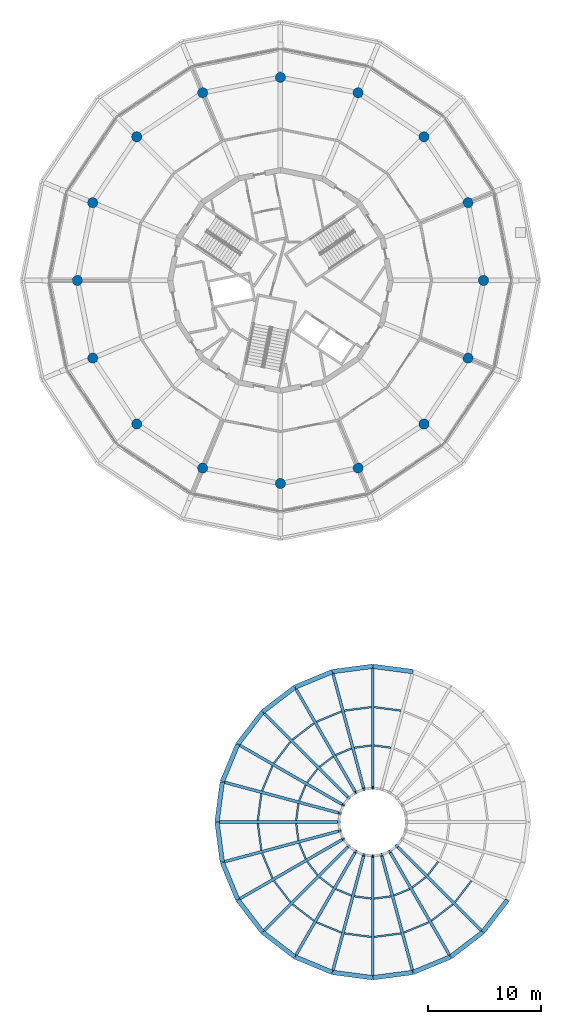
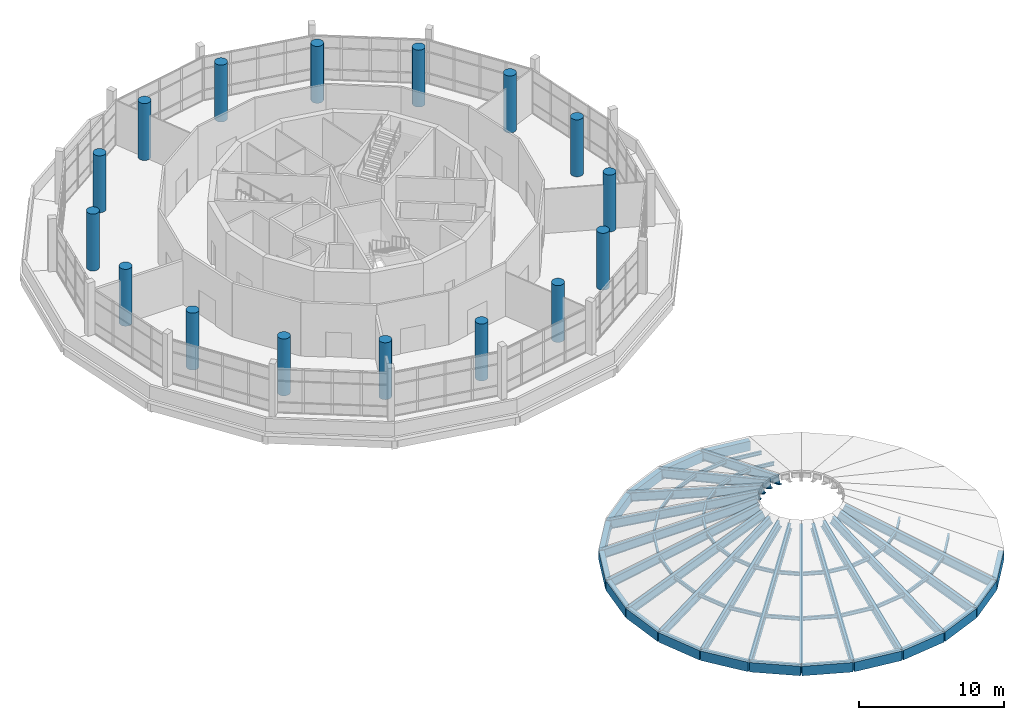
# One storey, part 1 of 21: 67 beams, 16 columns.
"""IFC4 building model written with IfcOpenShell, lengths in metres."""

import ifcopenshell
import ifcopenshell.guid

model = None  # the IFC model being written
_history = None  # IfcOwnerHistory: only IFC2X3 demands one
_inside = {}  # id of a spatial element -> (the spatial element, [elements in it])
_under = {}  # id of a project, library or spatial element -> (it, [spatial elements below it])
_declared = {}  # id of a project -> (the project, [libraries it declares])
_typed = {}  # id of a type object -> (the type object, [elements of that type])
_made_of = {}  # id of a material, layer set ... -> (it, [elements and type objects made of it])


def new_model(schema):
    """Start an empty IFC model of exactly this schema.

    Asked for "IFC4X3", IfcOpenShell would pick the latest addendum, in which some entities
    have other attributes; the version numbers below select the first issue.
    IFC2X3 requires an IfcOwnerHistory on every rooted entity: one is made here for all.
    """
    global model, _history
    if schema == "IFC4X3":
        model = ifcopenshell.file(schema_version=(4, 3, 0, 0))
    else:
        model = ifcopenshell.file(schema=schema)
    _inside.clear()
    _under.clear()
    _declared.clear()
    _typed.clear()
    _made_of.clear()
    _history = None
    if model.schema == "IFC2X3":
        org = make("IfcOrganization", Name="unknown")
        user = make(
            "IfcPersonAndOrganization",
            ThePerson=make("IfcPerson", FamilyName="unknown"),
            TheOrganization=org,
        )
        app = make(
            "IfcApplication",
            ApplicationDeveloper=org,
            Version="unknown",
            ApplicationFullName="unknown",
            ApplicationIdentifier="unknown",
        )
        _history = make(
            "IfcOwnerHistory",
            OwningUser=user,
            OwningApplication=app,
            ChangeAction="ADDED",
            CreationDate=0,
        )
    return model


def make(cls, **values):
    """One entity of the class cls with the attributes given. An attribute that is None is left unset."""
    return model.create_entity(
        cls, **{name: value for name, value in values.items() if value is not None}
    )


def rooted(cls, **values):
    """An entity with a GlobalId (a new one), such as an element, a storey or a relation."""
    return make(cls, GlobalId=ifcopenshell.guid.new(), OwnerHistory=_history, **values)


def si_unit(unit_type, name, prefix=None):
    """IfcSIUnit, for example si_unit("LENGTHUNIT", "METRE", prefix="MILLI")."""
    return make("IfcSIUnit", UnitType=unit_type, Prefix=prefix, Name=name)


def assignment(units):
    """IfcUnitAssignment: the units of a project."""
    return None if units is None else make("IfcUnitAssignment", Units=units)


def point(xyz):
    """IfcCartesianPoint."""
    return None if xyz is None else make("IfcCartesianPoint", Coordinates=xyz)


def direction(xyz):
    """IfcDirection."""
    return None if xyz is None else make("IfcDirection", DirectionRatios=xyz)


def frame(location, z_axis=None, x_axis=None):
    """IfcAxis2Placement3D, a coordinate frame: its origin and axes. An axis left out is left unset."""
    return make(
        "IfcAxis2Placement3D",
        Location=point(location),
        Axis=direction(z_axis),
        RefDirection=direction(x_axis),
    )


def frame_2d(location, x_axis=None):
    """IfcAxis2Placement2D, a coordinate frame in the plane: its origin and x axis."""
    return make(
        "IfcAxis2Placement2D", Location=point(location), RefDirection=direction(x_axis)
    )


def origin():
    """The frame at (0, 0, 0) with its axes left unset."""
    return frame((0.0, 0.0, 0.0))


def origin_2d():
    """The frame at (0, 0) in the plane with its x axis left unset."""
    return frame_2d((0.0, 0.0))


def place(relative_to, where):
    """IfcLocalPlacement: puts the frame where relative to a parent placement (None: the world)."""
    return make(
        "IfcLocalPlacement", PlacementRelTo=relative_to, RelativePlacement=where
    )


def context(
    kind, dimensions, precision=None, world=None, true_north=None, identifier=None
):
    """IfcGeometricRepresentationContext, for example the 3D "Model" context."""
    return make(
        "IfcGeometricRepresentationContext",
        ContextIdentifier=identifier,
        ContextType=kind,
        CoordinateSpaceDimension=dimensions,
        Precision=precision,
        WorldCoordinateSystem=world,
        TrueNorth=true_north,
    )


def subcontext(parent, identifier, kind, view, scale=None):
    """IfcGeometricRepresentationSubContext, for example "Body" below "Model"."""
    return make(
        "IfcGeometricRepresentationSubContext",
        ContextIdentifier=identifier,
        ContextType=kind,
        ParentContext=parent,
        TargetScale=scale,
        TargetView=view,
    )


def project(units=None, contexts=None):
    """IfcProject with its units and contexts."""
    return rooted(
        "IfcProject",
        Name="project",
        RepresentationContexts=contexts,
        UnitsInContext=assignment(units),
    )


def spatial(cls, under=None, at=None, **own):
    """A site, building, storey or space (cls), placed at a placement, below another one or the project."""
    s = rooted(cls, ObjectPlacement=at, **own)
    if under is not None:
        _under.setdefault(under.id(), (under, []))[1].append(s)
    return s


def profile(cls, at=None, kind="AREA", **sizes):
    """A parametric profile (cls). Its sizes go by their IFC names, for example OverallWidth=200.0."""
    return make(cls, ProfileType=kind, Position=at, **sizes)


def rectangle(**sizes):
    """IfcRectangleProfileDef."""
    return profile("IfcRectangleProfileDef", **sizes)


def circle(**sizes):
    """IfcCircleProfileDef."""
    return profile("IfcCircleProfileDef", **sizes)


def i_section(**sizes):
    """IfcIShapeProfileDef."""
    return profile("IfcIShapeProfileDef", **sizes)


def extrude(swept, where, along, depth):
    """IfcExtrudedAreaSolid: the profile swept, set in the frame where, extruded along a direction by depth."""
    return make(
        "IfcExtrudedAreaSolid",
        SweptArea=swept,
        Position=where,
        ExtrudedDirection=direction(along),
        Depth=depth,
    )


def shape(context_of_items, identifier, shape_type, items):
    """IfcShapeRepresentation: the items that make up one representation, for example the "Body"."""
    return make(
        "IfcShapeRepresentation",
        ContextOfItems=context_of_items,
        RepresentationIdentifier=identifier,
        RepresentationType=shape_type,
        Items=items,
    )


def material(Name=None, Category=None):
    """IfcMaterial."""
    return make("IfcMaterial", Name=Name, Category=Category)


def material_profile(
    of_material, cross_section, Name=None, Category=None, Priority=None
):
    """IfcMaterialProfile: a cross section and its material."""
    return make(
        "IfcMaterialProfile",
        Name=Name,
        Material=of_material,
        Profile=cross_section,
        Priority=Priority,
        Category=Category,
    )


def profile_set(profiles, Name=None, composite=None):
    """IfcMaterialProfileSet."""
    return make(
        "IfcMaterialProfileSet",
        Name=Name,
        MaterialProfiles=profiles,
        CompositeProfile=composite,
    )


def made_of(thing, what):
    """Note that an element or type object is made of a material, layer set ...; save() writes the relation."""
    if what is not None:
        _made_of.setdefault(what.id(), (what, []))[1].append(thing)
    return thing


def type_object(cls, material=None, **own):
    """A type object (cls), such as IfcWallType, which elements share."""
    return made_of(rooted(cls, **own), material)


def element(
    cls,
    number,
    at=None,
    inside=None,
    cuts=None,
    type_object=None,
    material=None,
    context=None,
    identifier="Body",
    shape_type=None,
    held_by="IfcProductDefinitionShape",
    body=None,
    shapes=None,
    **own,
):
    """One element of the class cls, such as IfcWall. Its Tag is "e" and its number.

    at: its placement. inside: the storey or other place that contains it. cuts: it is an
    opening in that element (IfcRelVoidsElement). A single representation is given by context,
    identifier, shape_type and body (its items); several are given by shapes. held_by: the class
    of the entity that holds the representations. save() writes the other relations.
    """
    e = rooted(cls, Tag="e%d" % number, ObjectPlacement=at, **own)
    if body is not None:
        shapes = [shape(context, identifier, shape_type, body)]
    if shapes is not None:
        e.Representation = make(held_by, Representations=shapes)
    if inside is not None:
        _inside.setdefault(inside.id(), (inside, []))[1].append(e)
    if cuts is not None:
        rooted(
            "IfcRelVoidsElement", RelatingBuildingElement=cuts, RelatedOpeningElement=e
        )
    if type_object is not None:
        _typed.setdefault(type_object.id(), (type_object, []))[1].append(e)
    return made_of(e, material)


def aggregate(whole, parts):
    """IfcRelAggregates: a whole, such as a stair, and the parts it consists of."""
    return rooted("IfcRelAggregates", RelatingObject=whole, RelatedObjects=parts)


def save(model, path):
    """Write the relations noted so far, then the file.

    IfcRelAggregates (storeys below a building ...), IfcRelContainedInSpatialStructure (elements
    in a storey), IfcRelDefinesByType, IfcRelAssociatesMaterial and IfcRelDeclares: one each for
    every whole, place, type object, material and project.
    """
    for whole, parts in _under.values():
        aggregate(whole, parts)
    for where, things in _inside.values():
        rooted(
            "IfcRelContainedInSpatialStructure",
            RelatedElements=things,
            RelatingStructure=where,
        )
    for kind, things in _typed.values():
        rooted("IfcRelDefinesByType", RelatedObjects=things, RelatingType=kind)
    for what, things in _made_of.values():
        rooted("IfcRelAssociatesMaterial", RelatedObjects=things, RelatingMaterial=what)
    for by, libraries in _declared.values():
        rooted("IfcRelDeclares", RelatingContext=by, RelatedDefinitions=libraries)
    model.write(path)


model = new_model("IFC4")

# Units and contexts
model_context = context("Model", 3, precision=1e-05, world=origin(), true_north=direction((0.0, 1.0)))
body_context = subcontext(model_context, "Body", "Model", "MODEL_VIEW")
ifc_project = project(units=[si_unit("LENGTHUNIT", "METRE"), si_unit("AREAUNIT", "SQUARE_METRE"), si_unit("VOLUMEUNIT", "CUBIC_METRE"), si_unit("PLANEANGLEUNIT", "RADIAN"), si_unit("MASSUNIT", "GRAM", prefix="KILO")], contexts=[model_context])

# Site, building, storey
site_placement = place(None, origin())
site = spatial("IfcSite", under=ifc_project, at=site_placement, CompositionType="ELEMENT")
building_placement = place(site_placement, origin())
building = spatial("IfcBuilding", under=site, at=building_placement, Name="Ceibo Conservatory and Research Tower", CompositionType="ELEMENT")
storey_placement = place(building_placement, frame((0.0, 0.0, 15.60009765625)))
storey = spatial("IfcBuildingStorey", under=building, at=storey_placement, Name="L03", CompositionType="ELEMENT", Elevation=15.60009765625)

# Columns
ifc_material_1 = material(Name="Concrete C35/45", Category="concrete")
ifc_material_profile_1 = material_profile(ifc_material_1, circle(Radius=0.449951171875, at=origin_2d()), Name="RC D900")
ifc_profile_set_1 = profile_set([ifc_material_profile_1], Name="Concrete C35/45")
column_type = type_object("IfcColumnType", Name="RC column D900 C35", PredefinedType="COLUMN", material=ifc_profile_set_1)
for number, where, z_axis, x_axis, name in (
    (1, (66.0, 120.0, 0.0), (0.0, 0.0, 1.0), (1.0, 0.0, 0.0), "Column R1 L03"),
    (2, (64.6298828125, 126.88818359375, 0.0), (0.0, 0.0, 1.0), (1.0, 0.0, 0.0), "Column R2 L03"),
    (3, (60.72802734375, 132.72802734375, 0.0), (0.0, 0.0, 1.0), (1.0, 0.0, 0.0), "Column R3 L03"),
    (4, (54.88818359375, 136.6298828125, 0.0), (0.0, 0.0, 1.0), (1.0, 0.0, 0.0), "Column R4 L03"),
    (5, (48.0, 138.0, 0.0), (0.0, 0.0, 1.0), (1.0, 0.0, 0.0), "Column R5 L03"),
    (6, (41.11181640625, 136.6298828125, 0.0), (0.0, 0.0, 1.0), (1.0, 0.0, 0.0), "Column R6 L03"),
    (7, (35.27197265625, 132.72802734375, 0.0), (0.0, 0.0, 1.0), (1.0, 0.0, 0.0), "Column R7 L03"),
    (8, (31.3701171875, 126.88818359375, 0.0), (0.0, 0.0, 1.0), (1.0, 0.0, 0.0), "Column R8 L03"),
    (9, (30.0, 120.0, 0.0), (0.0, 0.0, 1.0), (1.0, 0.0, 0.0), "Column R9 L03"),
    (10, (31.3701171875, 113.11181640625, 0.0), (0.0, 0.0, 1.0), (1.0, 0.0, 0.0), "Column R10 L03"),
    (11, (35.27197265625, 107.27197265625, 0.0), (0.0, 0.0, 1.0), (1.0, 0.0, 0.0), "Column R11 L03"),
    (12, (41.11181640625, 103.3701171875, 0.0), (0.0, 0.0, 1.0), (1.0, 0.0, 0.0), "Column R12 L03"),
    (13, (48.0, 102.0, 0.0), (0.0, 0.0, 1.0), (1.0, 0.0, 0.0), "Column R13 L03"),
    (14, (54.88818359375, 103.3701171875, 0.0), (0.0, 0.0, 1.0), (1.0, 0.0, 0.0), "Column R14 L03"),
    (15, (60.72802734375, 107.27197265625, 0.0), (0.0, 0.0, 1.0), (1.0, 0.0, 0.0), "Column R15 L03"),
    (16, (64.6298828125, 113.11181640625, 0.0), (0.0, 0.0, 1.0), (1.0, 0.0, 0.0), "Column R16 L03"),
):
    element("IfcColumn", number, at=place(storey_placement, frame(where, z_axis=z_axis, x_axis=x_axis)), inside=storey, type_object=column_type, Name=name, PredefinedType="COLUMN", context=body_context, shape_type="SweptSolid", body=[
        extrude(circle(Radius=0.449951171875, at=origin_2d()), origin(), (0.0, 0.0, 1.0), 4.7998046875),
    ])

# Beams
ifc_material_profile_2 = material_profile(ifc_material_1, rectangle(XDim=0.39990234375, YDim=0.800048828125, at=origin_2d()), Name="RC 400x800")
ifc_profile_set_2 = profile_set([ifc_material_profile_2], Name="Concrete C35/45")
beam_type_1 = type_object("IfcBeamType", Name="RC beam 400x800 C35", PredefinedType="BEAM", material=ifc_profile_set_2)
for number, where, z_axis, x_axis, name in (
    (17, (59.725341796875, 85.33154296875, 0.349853515625), (-0.99144164863, 0.130550593111, 0.0), (-0.130550593111, -0.99144164863, 0.0), "Auditorium ring beam 06"),
    (18, (56.154052734375, 85.794921875, 0.349853515625), (-0.99144164863, -0.130550593111, 0.0), (0.130550593111, -0.99144164863, 0.0), "Auditorium ring beam 07"),
):
    element("IfcBeam", number, at=place(storey_placement, frame(where, z_axis=z_axis, x_axis=x_axis)), inside=storey, type_object=beam_type_1, Name=name, PredefinedType="BEAM", context=body_context, shape_type="SweptSolid", body=[
        extrude(rectangle(XDim=0.39990234375, YDim=0.800048828125, at=origin_2d()), origin(), (0.0, 0.0, 1.0), 3.54931640625),
    ])
beam_1_placement = place(storey_placement, frame((52.58447265625, 85.318115234375, 0.349853515625), z_axis=(-0.923872639928, -0.382700072108, 0.0), x_axis=(0.382700072108, -0.923872639928, 0.0)))
element("IfcBeam", 19, at=beam_1_placement, inside=storey, type_object=beam_type_1, Name="Auditorium ring beam 08", PredefinedType="BEAM", context=body_context, shape_type="SweptSolid", body=[
    extrude(rectangle(XDim=0.39990234375, YDim=0.800048828125, at=origin_2d()), origin(), (0.0, 0.0, 1.0), 3.549560546875),
])
beam_2_placement = place(storey_placement, frame((49.260009765625, 83.93359375, 0.349853515625), z_axis=(-0.793364950044, -0.608746298586, 0.0), x_axis=(0.608746298586, -0.793364950044, 0.0)))
element("IfcBeam", 20, at=beam_2_placement, inside=storey, type_object=beam_type_1, Name="Auditorium ring beam 09", PredefinedType="BEAM", context=body_context, shape_type="SweptSolid", body=[
    extrude(rectangle(XDim=0.39990234375, YDim=0.800048828125, at=origin_2d()), origin(), (0.0, 0.0, 1.0), 3.54931640625),
])
beam_3_placement = place(storey_placement, frame((46.4072265625, 81.736083984375, 0.349853515625), z_axis=(-0.608756372486, -0.793357220272, 0.0), x_axis=(0.793357220272, -0.608756372486, 0.0)))
element("IfcBeam", 21, at=beam_3_placement, inside=storey, type_object=beam_type_1, Name="Auditorium ring beam 10", PredefinedType="BEAM", context=body_context, shape_type="SweptSolid", body=[
    extrude(rectangle(XDim=0.39990234375, YDim=0.800048828125, at=origin_2d()), origin(), (0.0, 0.0, 1.0), 3.549560546875),
])
for number, where, z_axis, x_axis, name in (
    (22, (44.220458984375, 78.874755859375, 0.349853515625), (-0.382724392317, -0.92386256528, 0.0), (0.92386256528, -0.382724392317, 0.0), "Auditorium ring beam 11"),
    (23, (42.8486328125, 75.545166015625, 0.349853515625), (-0.130550593111, -0.99144164863, 0.0), (0.99144164863, -0.130550593111, 0.0), "Auditorium ring beam 12"),
    (24, (42.38525390625, 71.973876953125, 0.349853515625), (0.130550593111, -0.99144164863, 0.0), (0.99144164863, 0.130550593111, 0.0), "Auditorium ring beam 13"),
    (25, (42.862060546875, 68.404296875, 0.349853515625), (0.382724392317, -0.92386256528, 0.0), (0.92386256528, 0.382724392317, 0.0), "Auditorium ring beam 14"),
):
    element("IfcBeam", number, at=place(storey_placement, frame(where, z_axis=z_axis, x_axis=x_axis)), inside=storey, type_object=beam_type_1, Name=name, PredefinedType="BEAM", context=body_context, shape_type="SweptSolid", body=[
        extrude(rectangle(XDim=0.39990234375, YDim=0.800048828125, at=origin_2d()), origin(), (0.0, 0.0, 1.0), 3.54931640625),
    ])
beam_4_placement = place(storey_placement, frame((44.246337890625, 65.080078125, 0.349853515625), z_axis=(0.608756372486, -0.793357220272, 0.0), x_axis=(0.793357220272, 0.608756372486, 0.0)))
element("IfcBeam", 26, at=beam_4_placement, inside=storey, type_object=beam_type_1, Name="Auditorium ring beam 15", PredefinedType="BEAM", context=body_context, shape_type="SweptSolid", body=[
    extrude(rectangle(XDim=0.39990234375, YDim=0.800048828125, at=origin_2d()), origin(), (0.0, 0.0, 1.0), 3.549560546875),
])
beam_5_placement = place(storey_placement, frame((46.444091796875, 62.22705078125, 0.349853515625), z_axis=(0.793364950044, -0.608746298586, 0.0), x_axis=(0.608746298586, 0.793364950044, 0.0)))
element("IfcBeam", 27, at=beam_5_placement, inside=storey, type_object=beam_type_1, Name="Auditorium ring beam 16", PredefinedType="BEAM", context=body_context, shape_type="SweptSolid", body=[
    extrude(rectangle(XDim=0.39990234375, YDim=0.800048828125, at=origin_2d()), origin(), (0.0, 0.0, 1.0), 3.54931640625),
])
beam_6_placement = place(storey_placement, frame((49.30517578125, 60.040283203125, 0.349853515625), z_axis=(0.923872639928, -0.382700072108, 0.0), x_axis=(0.382700072108, 0.923872639928, 0.0)))
element("IfcBeam", 28, at=beam_6_placement, inside=storey, type_object=beam_type_1, Name="Auditorium ring beam 17", PredefinedType="BEAM", context=body_context, shape_type="SweptSolid", body=[
    extrude(rectangle(XDim=0.39990234375, YDim=0.800048828125, at=origin_2d()), origin(), (0.0, 0.0, 1.0), 3.549560546875),
])
for number, where, z_axis, x_axis, name in (
    (29, (52.635009765625, 58.66845703125, 0.349853515625), (0.99144164863, -0.130550593111, 0.0), (0.130550593111, 0.99144164863, 0.0), "Auditorium ring beam 18"),
    (30, (56.206298828125, 58.205078125, 0.349853515625), (0.99144164863, 0.130550593111, 0.0), (-0.130550593111, 0.99144164863, 0.0), "Auditorium ring beam 19"),
):
    element("IfcBeam", number, at=place(storey_placement, frame(where, z_axis=z_axis, x_axis=x_axis)), inside=storey, type_object=beam_type_1, Name=name, PredefinedType="BEAM", context=body_context, shape_type="SweptSolid", body=[
        extrude(rectangle(XDim=0.39990234375, YDim=0.800048828125, at=origin_2d()), origin(), (0.0, 0.0, 1.0), 3.54931640625),
    ])
beam_7_placement = place(storey_placement, frame((59.775634765625, 58.681884765625, 0.349853515625), z_axis=(0.923872639928, 0.382700072108, 0.0), x_axis=(-0.382700072108, 0.923872639928, 0.0)))
element("IfcBeam", 31, at=beam_7_placement, inside=storey, type_object=beam_type_1, Name="Auditorium ring beam 20", PredefinedType="BEAM", context=body_context, shape_type="SweptSolid", body=[
    extrude(rectangle(XDim=0.39990234375, YDim=0.800048828125, at=origin_2d()), origin(), (0.0, 0.0, 1.0), 3.549560546875),
])
beam_8_placement = place(storey_placement, frame((63.10009765625, 60.06640625, 0.349853515625), z_axis=(0.793364950044, 0.608746298586, 0.0), x_axis=(-0.608746298586, 0.793364950044, 0.0)))
element("IfcBeam", 32, at=beam_8_placement, inside=storey, type_object=beam_type_1, Name="Auditorium ring beam 21", PredefinedType="BEAM", context=body_context, shape_type="SweptSolid", body=[
    extrude(rectangle(XDim=0.39990234375, YDim=0.800048828125, at=origin_2d()), origin(), (0.0, 0.0, 1.0), 3.54931640625),
])
beam_9_placement = place(storey_placement, frame((65.952880859375, 62.263916015625, 0.349853515625), z_axis=(0.608756372486, 0.793357220272, 0.0), x_axis=(-0.793357220272, 0.608756372486, 0.0)))
element("IfcBeam", 33, at=beam_9_placement, inside=storey, type_object=beam_type_1, Name="Auditorium ring beam 22", PredefinedType="BEAM", context=body_context, shape_type="SweptSolid", body=[
    extrude(rectangle(XDim=0.39990234375, YDim=0.800048828125, at=origin_2d()), origin(), (0.0, 0.0, 1.0), 3.549560546875),
])
ifc_material_2 = material(Name="Steel S355J2", Category="steel")
ifc_material_profile_3 = material_profile(ifc_material_2, i_section(OverallWidth=0.25, OverallDepth=0.699951171875, WebThickness=0.011962890625, FlangeThickness=0.02490234375, at=origin_2d()), Name="PG 700x250")
ifc_profile_set_3 = profile_set([ifc_material_profile_3], Name="Steel S355J2")
beam_type_2 = type_object("IfcBeamType", Name="roof girder PG 700x250", PredefinedType="BEAM", material=ifc_profile_set_3)
beam_10_placement = place(storey_placement, frame((56.18017578125, 85.616455078125, 0.5146484375), z_axis=(0.0, -0.925549329485, 0.378627044319), x_axis=(1.0, 0.0, 0.0)))
element("IfcBeam", 34, at=beam_10_placement, inside=storey, type_object=beam_type_2, Name="Auditorium roof girder 07", PredefinedType="BEAM", context=body_context, shape_type="SweptSolid", body=[
    extrude(i_section(OverallWidth=0.25, OverallDepth=0.699951171875, WebThickness=0.011962890625, FlangeThickness=0.02490234375, at=origin_2d()), origin(), (0.0, 0.0, 1.0), 11.470458984375),
])
beam_11_placement = place(storey_placement, frame((52.65576171875, 85.152587890625, 0.5146484375), z_axis=(0.239551624894, -0.89401390067, 0.378621399843), x_axis=(0.965925469153, 0.258820377948, 0.0)))
element("IfcBeam", 35, at=beam_11_placement, inside=storey, type_object=beam_type_2, Name="Auditorium roof girder 08", PredefinedType="BEAM", context=body_context, shape_type="SweptSolid", body=[
    extrude(i_section(OverallWidth=0.25, OverallDepth=0.699951171875, WebThickness=0.011962890625, FlangeThickness=0.02490234375, at=origin_2d()), origin(), (0.0, 0.0, 1.0), 11.470703125),
])
beam_12_placement = place(storey_placement, frame((49.371826171875, 83.792236328125, 0.5146484375), z_axis=(0.462783933169, -0.801544411499, 0.378625920395), x_axis=(0.866019765546, 0.500009765588, 0.0)))
element("IfcBeam", 36, at=beam_12_placement, inside=storey, type_object=beam_type_2, Name="Auditorium roof girder 09", PredefinedType="BEAM", context=body_context, shape_type="SweptSolid", body=[
    extrude(i_section(OverallWidth=0.25, OverallDepth=0.699951171875, WebThickness=0.011962890625, FlangeThickness=0.02490234375, at=origin_2d()), origin(), (0.0, 0.0, 1.0), 11.470458984375),
])
for number, where, z_axis, x_axis, name in (
    (37, (46.5517578125, 81.62841796875, 0.5146484375), (0.654463615711, -0.654463615711, 0.378622175026), (0.707106781187, 0.707106781187, 0.0), "Auditorium roof girder 10"),
    (38, (44.3876953125, 78.808349609375, 0.5146484375), (0.801552020997, -0.462776038039, 0.378619461007), (0.499999807909, 0.866025514688, 0.0), "Auditorium roof girder 11"),
):
    element("IfcBeam", number, at=place(storey_placement, frame(where, z_axis=z_axis, x_axis=x_axis)), inside=storey, type_object=beam_type_2, Name=name, PredefinedType="BEAM", context=body_context, shape_type="SweptSolid", body=[
        extrude(i_section(OverallWidth=0.25, OverallDepth=0.699951171875, WebThickness=0.011962890625, FlangeThickness=0.02490234375, at=origin_2d()), origin(), (0.0, 0.0, 1.0), 11.470703125),
    ])
beam_13_placement = place(storey_placement, frame((43.027587890625, 75.524169921875, 0.5146484375), z_axis=(0.894009628013, -0.239556183208, 0.37862860445), x_axis=(0.258826127107, 0.965923928644, 0.0)))
element("IfcBeam", 39, at=beam_13_placement, inside=storey, type_object=beam_type_2, Name="Auditorium roof girder 12", PredefinedType="BEAM", context=body_context, shape_type="SweptSolid", body=[
    extrude(i_section(OverallWidth=0.25, OverallDepth=0.699951171875, WebThickness=0.011962890625, FlangeThickness=0.02490234375, at=origin_2d()), origin(), (0.0, 0.0, 1.0), 11.470458984375),
])
beam_14_placement = place(storey_placement, frame((42.5634765625, 72.0, 0.5146484375), z_axis=(0.925552380684, 0.0, 0.378619585613), x_axis=(0.0, 1.0, 0.0)))
element("IfcBeam", 40, at=beam_14_placement, inside=storey, type_object=beam_type_2, Name="Auditorium roof girder 13", PredefinedType="BEAM", context=body_context, shape_type="SweptSolid", body=[
    extrude(i_section(OverallWidth=0.25, OverallDepth=0.699951171875, WebThickness=0.011962890625, FlangeThickness=0.02490234375, at=origin_2d()), origin(), (0.0, 0.0, 1.0), 11.470703125),
])
beam_15_placement = place(storey_placement, frame((43.027587890625, 68.475830078125, 0.5146484375), z_axis=(0.894009628013, 0.239556183208, 0.37862860445), x_axis=(-0.258826127107, 0.965923928644, 0.0)))
element("IfcBeam", 41, at=beam_15_placement, inside=storey, type_object=beam_type_2, Name="Auditorium roof girder 14", PredefinedType="BEAM", context=body_context, shape_type="SweptSolid", body=[
    extrude(i_section(OverallWidth=0.25, OverallDepth=0.699951171875, WebThickness=0.011962890625, FlangeThickness=0.02490234375, at=origin_2d()), origin(), (0.0, 0.0, 1.0), 11.470458984375),
])
for number, where, z_axis, x_axis, name in (
    (42, (44.3876953125, 65.191650390625, 0.5146484375), (0.801552020997, 0.462776038039, 0.378619461007), (-0.499999807909, 0.866025514688, 0.0), "Auditorium roof girder 15"),
    (43, (46.5517578125, 62.37158203125, 0.5146484375), (0.654463615711, 0.654463615711, 0.378622175026), (-0.707106781187, 0.707106781187, 0.0), "Auditorium roof girder 16"),
):
    element("IfcBeam", number, at=place(storey_placement, frame(where, z_axis=z_axis, x_axis=x_axis)), inside=storey, type_object=beam_type_2, Name=name, PredefinedType="BEAM", context=body_context, shape_type="SweptSolid", body=[
        extrude(i_section(OverallWidth=0.25, OverallDepth=0.699951171875, WebThickness=0.011962890625, FlangeThickness=0.02490234375, at=origin_2d()), origin(), (0.0, 0.0, 1.0), 11.470703125),
    ])
beam_16_placement = place(storey_placement, frame((49.371826171875, 60.207763671875, 0.5146484375), z_axis=(0.462783933169, 0.801544411499, 0.378625920395), x_axis=(-0.866019765546, 0.500009765588, 0.0)))
element("IfcBeam", 44, at=beam_16_placement, inside=storey, type_object=beam_type_2, Name="Auditorium roof girder 17", PredefinedType="BEAM", context=body_context, shape_type="SweptSolid", body=[
    extrude(i_section(OverallWidth=0.25, OverallDepth=0.699951171875, WebThickness=0.011962890625, FlangeThickness=0.02490234375, at=origin_2d()), origin(), (0.0, 0.0, 1.0), 11.470458984375),
])
beam_17_placement = place(storey_placement, frame((52.65576171875, 58.847412109375, 0.5146484375), z_axis=(0.239551624894, 0.89401390067, 0.378621399843), x_axis=(-0.965925469153, 0.258820377948, 0.0)))
element("IfcBeam", 45, at=beam_17_placement, inside=storey, type_object=beam_type_2, Name="Auditorium roof girder 18", PredefinedType="BEAM", context=body_context, shape_type="SweptSolid", body=[
    extrude(i_section(OverallWidth=0.25, OverallDepth=0.699951171875, WebThickness=0.011962890625, FlangeThickness=0.02490234375, at=origin_2d()), origin(), (0.0, 0.0, 1.0), 11.470703125),
])
beam_18_placement = place(storey_placement, frame((56.18017578125, 58.383544921875, 0.5146484375), z_axis=(0.0, 0.925549329485, 0.378627044319), x_axis=(-1.0, 0.0, 0.0)))
element("IfcBeam", 46, at=beam_18_placement, inside=storey, type_object=beam_type_2, Name="Auditorium roof girder 19", PredefinedType="BEAM", context=body_context, shape_type="SweptSolid", body=[
    extrude(i_section(OverallWidth=0.25, OverallDepth=0.699951171875, WebThickness=0.011962890625, FlangeThickness=0.02490234375, at=origin_2d()), origin(), (0.0, 0.0, 1.0), 11.470458984375),
])
beam_19_placement = place(storey_placement, frame((59.704345703125, 58.847412109375, 0.5146484375), z_axis=(-0.239551624894, 0.89401390067, 0.378621399843), x_axis=(-0.965925469153, -0.258820377948, 0.0)))
element("IfcBeam", 47, at=beam_19_placement, inside=storey, type_object=beam_type_2, Name="Auditorium roof girder 20", PredefinedType="BEAM", context=body_context, shape_type="SweptSolid", body=[
    extrude(i_section(OverallWidth=0.25, OverallDepth=0.699951171875, WebThickness=0.011962890625, FlangeThickness=0.02490234375, at=origin_2d()), origin(), (0.0, 0.0, 1.0), 11.470703125),
])
for number, where, z_axis, x_axis, name in (
    (48, (62.98828125, 60.207763671875, 0.5146484375), (-0.462767207081, 0.801552306662, 0.378629649837), (-0.866029723333, -0.499992518248, 0.0), "Auditorium roof girder 21"),
    (49, (65.808349609375, 62.37158203125, 0.5146484375), (-0.65445144784, 0.654472732198, 0.378627449123), (-0.707118279325, -0.707095282861, 0.0), "Auditorium roof girder 22"),
):
    element("IfcBeam", number, at=place(storey_placement, frame(where, z_axis=z_axis, x_axis=x_axis)), inside=storey, type_object=beam_type_2, Name=name, PredefinedType="BEAM", context=body_context, shape_type="SweptSolid", body=[
        extrude(i_section(OverallWidth=0.25, OverallDepth=0.699951171875, WebThickness=0.011962890625, FlangeThickness=0.02490234375, at=origin_2d()), origin(), (0.0, 0.0, 1.0), 11.470458984375),
    ])
ifc_material_profile_4 = material_profile(ifc_material_2, i_section(OverallWidth=0.14990234375, OverallDepth=0.300048828125, WebThickness=0.007080078125, FlangeThickness=0.0107421875, FilletRadius=0.014892578125, at=origin_2d()), Name="IPE 300")
ifc_profile_set_4 = profile_set([ifc_material_profile_4], Name="Steel S355J2")
beam_type_3 = type_object("IfcBeamType", Name="roof purlin IPE 300", PredefinedType="BEAM", material=ifc_profile_set_4)
beam_20_placement = place(storey_placement, frame((57.81494140625, 78.584716796875, 3.511474609375), z_axis=(-0.991447745975, 0.130504279629, 0.0), x_axis=(-0.130504279629, -0.991447745975, 0.0)))
element("IfcBeam", 50, at=beam_20_placement, inside=storey, type_object=beam_type_3, Name="Auditorium roof purlin 01-06", PredefinedType="BEAM", context=body_context, shape_type="SweptSolid", body=[
    extrude(i_section(OverallWidth=0.14990234375, OverallDepth=0.300048828125, WebThickness=0.007080078125, FlangeThickness=0.0107421875, FilletRadius=0.014892578125, at=origin_2d()), origin(), (0.0, 0.0, 1.0), 1.522705078125),
])
beam_21_placement = place(storey_placement, frame((56.05517578125, 78.783447265625, 3.511474609375), z_axis=(-0.991450475872, -0.130483538781, 0.0), x_axis=(0.130483538781, -0.991450475872, 0.0)))
element("IfcBeam", 51, at=beam_21_placement, inside=storey, type_object=beam_type_3, Name="Auditorium roof purlin 01-07", PredefinedType="BEAM", context=body_context, shape_type="SweptSolid", body=[
    extrude(i_section(OverallWidth=0.14990234375, OverallDepth=0.300048828125, WebThickness=0.007080078125, FlangeThickness=0.0107421875, FilletRadius=0.014892578125, at=origin_2d()), origin(), (0.0, 0.0, 1.0), 1.52294921875),
])
for number, where, z_axis, x_axis, name in (
    (52, (54.3037109375, 78.52001953125, 3.511474609375), (-0.923909393783, -0.382611332921, 0.0), (0.382611332921, -0.923909393783, 0.0), "Auditorium roof purlin 01-08"),
    (53, (52.68017578125, 77.812255859375, 3.511474609375), (-0.793374130919, -0.608734333178, 0.0), (0.608734333178, -0.793374130919, 0.0), "Auditorium roof purlin 01-09"),
):
    element("IfcBeam", number, at=place(storey_placement, frame(where, z_axis=z_axis, x_axis=x_axis)), inside=storey, type_object=beam_type_3, Name=name, PredefinedType="BEAM", context=body_context, shape_type="SweptSolid", body=[
        extrude(i_section(OverallWidth=0.14990234375, OverallDepth=0.300048828125, WebThickness=0.007080078125, FlangeThickness=0.0107421875, FilletRadius=0.014892578125, at=origin_2d()), origin(), (0.0, 0.0, 1.0), 1.523193359375),
    ])
for number, where, z_axis, x_axis, name in (
    (54, (51.294921875, 76.708251953125, 3.511474609375), (-0.608710848818, -0.793392149275, 0.0), (0.793392149275, -0.608710848818, 0.0), "Auditorium roof purlin 01-10"),
    (55, (50.242919921875, 75.283447265625, 3.511474609375), (-0.382668002689, -0.923885923542, 0.0), (0.923885923542, -0.382668002689, 0.0), "Auditorium roof purlin 01-11"),
    (56, (49.59521484375, 73.635009765625, 3.511474609375), (-0.130483538781, -0.991450475872, 0.0), (0.991450475872, -0.130483538781, 0.0), "Auditorium roof purlin 01-12"),
    (57, (49.396484375, 71.875, 3.511474609375), (0.130483538781, -0.991450475872, 0.0), (0.991450475872, 0.130483538781, 0.0), "Auditorium roof purlin 01-13"),
    (58, (49.66015625, 70.12353515625, 3.511474609375), (0.382668002689, -0.923885923542, 0.0), (0.923885923542, 0.382668002689, 0.0), "Auditorium roof purlin 01-14"),
    (59, (50.367919921875, 68.5, 3.511474609375), (0.608710848818, -0.793392149275, 0.0), (0.793392149275, 0.608710848818, 0.0), "Auditorium roof purlin 01-15"),
):
    element("IfcBeam", number, at=place(storey_placement, frame(where, z_axis=z_axis, x_axis=x_axis)), inside=storey, type_object=beam_type_3, Name=name, PredefinedType="BEAM", context=body_context, shape_type="SweptSolid", body=[
        extrude(i_section(OverallWidth=0.14990234375, OverallDepth=0.300048828125, WebThickness=0.007080078125, FlangeThickness=0.0107421875, FilletRadius=0.014892578125, at=origin_2d()), origin(), (0.0, 0.0, 1.0), 1.52294921875),
    ])
for number, where, z_axis, x_axis, name in (
    (60, (51.4716796875, 67.114990234375, 3.511474609375), (0.793374130919, -0.608734333178, 0.0), (0.608734333178, 0.793374130919, 0.0), "Auditorium roof purlin 01-16"),
    (61, (52.896484375, 66.062744140625, 3.511474609375), (0.923909393783, -0.382611332921, 0.0), (0.382611332921, 0.923909393783, 0.0), "Auditorium roof purlin 01-17"),
):
    element("IfcBeam", number, at=place(storey_placement, frame(where, z_axis=z_axis, x_axis=x_axis)), inside=storey, type_object=beam_type_3, Name=name, PredefinedType="BEAM", context=body_context, shape_type="SweptSolid", body=[
        extrude(i_section(OverallWidth=0.14990234375, OverallDepth=0.300048828125, WebThickness=0.007080078125, FlangeThickness=0.0107421875, FilletRadius=0.014892578125, at=origin_2d()), origin(), (0.0, 0.0, 1.0), 1.523193359375),
    ])
beam_22_placement = place(storey_placement, frame((54.545166015625, 65.415283203125, 3.511474609375), z_axis=(0.991450475872, -0.130483538781, 0.0), x_axis=(0.130483538781, 0.991450475872, 0.0)))
element("IfcBeam", 62, at=beam_22_placement, inside=storey, type_object=beam_type_3, Name="Auditorium roof purlin 01-18", PredefinedType="BEAM", context=body_context, shape_type="SweptSolid", body=[
    extrude(i_section(OverallWidth=0.14990234375, OverallDepth=0.300048828125, WebThickness=0.007080078125, FlangeThickness=0.0107421875, FilletRadius=0.014892578125, at=origin_2d()), origin(), (0.0, 0.0, 1.0), 1.52294921875),
])
beam_23_placement = place(storey_placement, frame((56.30517578125, 65.216552734375, 3.511474609375), z_axis=(0.991447745975, 0.130504279629, 0.0), x_axis=(-0.130504279629, 0.991447745975, 0.0)))
element("IfcBeam", 63, at=beam_23_placement, inside=storey, type_object=beam_type_3, Name="Auditorium roof purlin 01-19", PredefinedType="BEAM", context=body_context, shape_type="SweptSolid", body=[
    extrude(i_section(OverallWidth=0.14990234375, OverallDepth=0.300048828125, WebThickness=0.007080078125, FlangeThickness=0.0107421875, FilletRadius=0.014892578125, at=origin_2d()), origin(), (0.0, 0.0, 1.0), 1.522705078125),
])
for number, where, z_axis, x_axis, name in (
    (64, (58.056640625, 65.47998046875, 3.511474609375), (0.923885923542, 0.382668002689, 0.0), (-0.382668002689, 0.923885923542, 0.0), "Auditorium roof purlin 01-20"),
    (65, (59.68017578125, 66.187744140625, 3.511474609375), (0.793314727523, 0.608811746844, 0.0), (-0.608811746844, 0.793314727523, 0.0), "Auditorium roof purlin 01-21"),
    (66, (61.065185546875, 67.291748046875, 3.511474609375), (0.608710848818, 0.793392149275, 0.0), (-0.793392149275, 0.608710848818, 0.0), "Auditorium roof purlin 01-22"),
):
    element("IfcBeam", number, at=place(storey_placement, frame(where, z_axis=z_axis, x_axis=x_axis)), inside=storey, type_object=beam_type_3, Name=name, PredefinedType="BEAM", context=body_context, shape_type="SweptSolid", body=[
        extrude(i_section(OverallWidth=0.14990234375, OverallDepth=0.300048828125, WebThickness=0.007080078125, FlangeThickness=0.0107421875, FilletRadius=0.014892578125, at=origin_2d()), origin(), (0.0, 0.0, 1.0), 1.52294921875),
    ])
for number, where, z_axis, x_axis, name in (
    (67, (58.695068359375, 81.868896484375, 2.12060546875), (-0.991441535855, 0.130551449557, 0.0), (-0.130551449557, -0.991441535855, 0.0), "Auditorium roof purlin 02-06"),
    (68, (56.05517578125, 82.18359375, 2.12060546875), (-0.991443261799, -0.13053834162, 0.0), (0.13053834162, -0.991443261799, 0.0), "Auditorium roof purlin 02-07"),
    (69, (53.423583984375, 81.80419921875, 2.12060546875), (-0.923860056316, -0.382730448676, 0.0), (0.382730448676, -0.923860056316, 0.0), "Auditorium roof purlin 02-08"),
):
    element("IfcBeam", number, at=place(storey_placement, frame(where, z_axis=z_axis, x_axis=x_axis)), inside=storey, type_object=beam_type_3, Name=name, PredefinedType="BEAM", context=body_context, shape_type="SweptSolid", body=[
        extrude(i_section(OverallWidth=0.14990234375, OverallDepth=0.300048828125, WebThickness=0.007080078125, FlangeThickness=0.0107421875, FilletRadius=0.014892578125, at=origin_2d()), origin(), (0.0, 0.0, 1.0), 2.41064453125),
    ])
beam_24_placement = place(storey_placement, frame((50.97998046875, 80.756591796875, 2.12060546875), z_axis=(-0.793376443338, -0.608731319349, 0.0), x_axis=(0.608731319349, -0.793376443338, 0.0)))
element("IfcBeam", 70, at=beam_24_placement, inside=storey, type_object=beam_type_3, Name="Auditorium roof purlin 02-09", PredefinedType="BEAM", context=body_context, shape_type="SweptSolid", body=[
    extrude(i_section(OverallWidth=0.14990234375, OverallDepth=0.300048828125, WebThickness=0.007080078125, FlangeThickness=0.0107421875, FilletRadius=0.014892578125, at=origin_2d()), origin(), (0.0, 0.0, 1.0), 2.410400390625),
])
beam_25_placement = place(storey_placement, frame((48.890869140625, 79.112548828125, 2.12060546875), z_axis=(-0.608746154895, -0.793365060297, 0.0), x_axis=(0.793365060297, -0.608746154895, 0.0)))
element("IfcBeam", 71, at=beam_25_placement, inside=storey, type_object=beam_type_3, Name="Auditorium roof purlin 02-10", PredefinedType="BEAM", context=body_context, shape_type="SweptSolid", body=[
    extrude(i_section(OverallWidth=0.14990234375, OverallDepth=0.300048828125, WebThickness=0.007080078125, FlangeThickness=0.0107421875, FilletRadius=0.014892578125, at=origin_2d()), origin(), (0.0, 0.0, 1.0), 2.41064453125),
])
beam_26_placement = place(storey_placement, frame((47.29833984375, 76.9833984375, 2.12060546875), z_axis=(-0.382644000914, -0.923895864567, 0.0), x_axis=(0.923895864567, -0.382644000914, 0.0)))
element("IfcBeam", 72, at=beam_26_placement, inside=storey, type_object=beam_type_3, Name="Auditorium roof purlin 02-11", PredefinedType="BEAM", context=body_context, shape_type="SweptSolid", body=[
    extrude(i_section(OverallWidth=0.14990234375, OverallDepth=0.300048828125, WebThickness=0.007080078125, FlangeThickness=0.0107421875, FilletRadius=0.014892578125, at=origin_2d()), origin(), (0.0, 0.0, 1.0), 2.410400390625),
])
for number, where, z_axis, x_axis, name in (
    (73, (46.311279296875, 74.514892578125, 2.12060546875), (-0.130551449557, -0.991441535855, 0.0), (0.991441535855, -0.130551449557, 0.0), "Auditorium roof purlin 02-12"),
    (74, (45.99658203125, 71.875, 2.12060546875), (0.130551449557, -0.991441535855, 0.0), (0.991441535855, 0.130551449557, 0.0), "Auditorium roof purlin 02-13"),
):
    element("IfcBeam", number, at=place(storey_placement, frame(where, z_axis=z_axis, x_axis=x_axis)), inside=storey, type_object=beam_type_3, Name=name, PredefinedType="BEAM", context=body_context, shape_type="SweptSolid", body=[
        extrude(i_section(OverallWidth=0.14990234375, OverallDepth=0.300048828125, WebThickness=0.007080078125, FlangeThickness=0.0107421875, FilletRadius=0.014892578125, at=origin_2d()), origin(), (0.0, 0.0, 1.0), 2.41064453125),
    ])
beam_27_placement = place(storey_placement, frame((46.3759765625, 69.24365234375, 2.12060546875), z_axis=(0.382644000914, -0.923895864567, 0.0), x_axis=(0.923895864567, 0.382644000914, 0.0)))
element("IfcBeam", 75, at=beam_27_placement, inside=storey, type_object=beam_type_3, Name="Auditorium roof purlin 02-14", PredefinedType="BEAM", context=body_context, shape_type="SweptSolid", body=[
    extrude(i_section(OverallWidth=0.14990234375, OverallDepth=0.300048828125, WebThickness=0.007080078125, FlangeThickness=0.0107421875, FilletRadius=0.014892578125, at=origin_2d()), origin(), (0.0, 0.0, 1.0), 2.410400390625),
])
beam_28_placement = place(storey_placement, frame((47.42333984375, 66.800048828125, 2.12060546875), z_axis=(0.608746154895, -0.793365060297, 0.0), x_axis=(0.793365060297, 0.608746154895, 0.0)))
element("IfcBeam", 76, at=beam_28_placement, inside=storey, type_object=beam_type_3, Name="Auditorium roof purlin 02-15", PredefinedType="BEAM", context=body_context, shape_type="SweptSolid", body=[
    extrude(i_section(OverallWidth=0.14990234375, OverallDepth=0.300048828125, WebThickness=0.007080078125, FlangeThickness=0.0107421875, FilletRadius=0.014892578125, at=origin_2d()), origin(), (0.0, 0.0, 1.0), 2.41064453125),
])
beam_29_placement = place(storey_placement, frame((49.067626953125, 64.710693359375, 2.12060546875), z_axis=(0.793376443338, -0.608731319349, 0.0), x_axis=(0.608731319349, 0.793376443338, 0.0)))
element("IfcBeam", 77, at=beam_29_placement, inside=storey, type_object=beam_type_3, Name="Auditorium roof purlin 02-16", PredefinedType="BEAM", context=body_context, shape_type="SweptSolid", body=[
    extrude(i_section(OverallWidth=0.14990234375, OverallDepth=0.300048828125, WebThickness=0.007080078125, FlangeThickness=0.0107421875, FilletRadius=0.014892578125, at=origin_2d()), origin(), (0.0, 0.0, 1.0), 2.410400390625),
])
for number, where, z_axis, x_axis, name in (
    (78, (51.196533203125, 63.118408203125, 2.12060546875), (0.923860056316, -0.382730448676, 0.0), (0.382730448676, 0.923860056316, 0.0), "Auditorium roof purlin 02-17"),
    (79, (53.6650390625, 62.131103515625, 2.12060546875), (0.991443261799, -0.13053834162, 0.0), (0.13053834162, 0.991443261799, 0.0), "Auditorium roof purlin 02-18"),
    (80, (56.30517578125, 61.81640625, 2.12060546875), (0.991441535855, 0.130551449557, 0.0), (-0.130551449557, 0.991441535855, 0.0), "Auditorium roof purlin 02-19"),
    (81, (58.9365234375, 62.19580078125, 2.12060546875), (0.923860056316, 0.382730448676, 0.0), (-0.382730448676, 0.923860056316, 0.0), "Auditorium roof purlin 02-20"),
):
    element("IfcBeam", number, at=place(storey_placement, frame(where, z_axis=z_axis, x_axis=x_axis)), inside=storey, type_object=beam_type_3, Name=name, PredefinedType="BEAM", context=body_context, shape_type="SweptSolid", body=[
        extrude(i_section(OverallWidth=0.14990234375, OverallDepth=0.300048828125, WebThickness=0.007080078125, FlangeThickness=0.0107421875, FilletRadius=0.014892578125, at=origin_2d()), origin(), (0.0, 0.0, 1.0), 2.41064453125),
    ])
beam_30_placement = place(storey_placement, frame((61.380126953125, 63.243408203125, 2.12060546875), z_axis=(0.793376443338, 0.608731319349, 0.0), x_axis=(-0.608731319349, 0.793376443338, 0.0)))
element("IfcBeam", 82, at=beam_30_placement, inside=storey, type_object=beam_type_3, Name="Auditorium roof purlin 02-21", PredefinedType="BEAM", context=body_context, shape_type="SweptSolid", body=[
    extrude(i_section(OverallWidth=0.14990234375, OverallDepth=0.300048828125, WebThickness=0.007080078125, FlangeThickness=0.0107421875, FilletRadius=0.014892578125, at=origin_2d()), origin(), (0.0, 0.0, 1.0), 2.410400390625),
])
beam_31_placement = place(storey_placement, frame((63.46923828125, 64.887451171875, 2.12060546875), z_axis=(0.608746154895, 0.793365060297, 0.0), x_axis=(-0.793365060297, 0.608746154895, 0.0)))
element("IfcBeam", 83, at=beam_31_placement, inside=storey, type_object=beam_type_3, Name="Auditorium roof purlin 02-22", PredefinedType="BEAM", context=body_context, shape_type="SweptSolid", body=[
    extrude(i_section(OverallWidth=0.14990234375, OverallDepth=0.300048828125, WebThickness=0.007080078125, FlangeThickness=0.0107421875, FilletRadius=0.014892578125, at=origin_2d()), origin(), (0.0, 0.0, 1.0), 2.41064453125),
])

save(model, "model.ifc")
